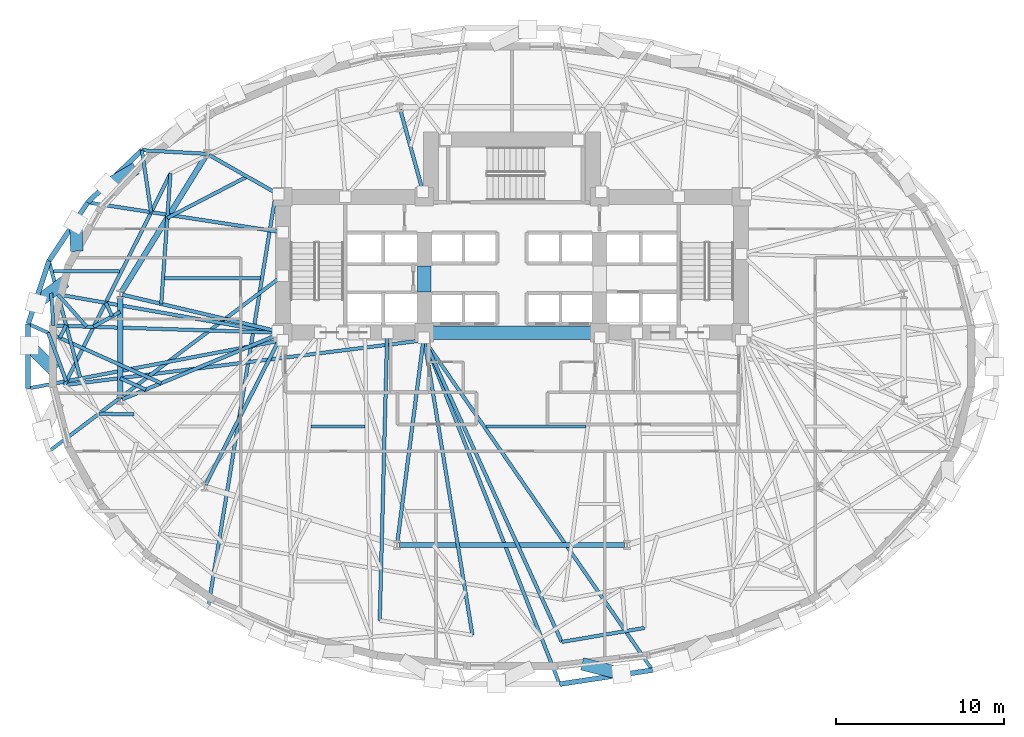
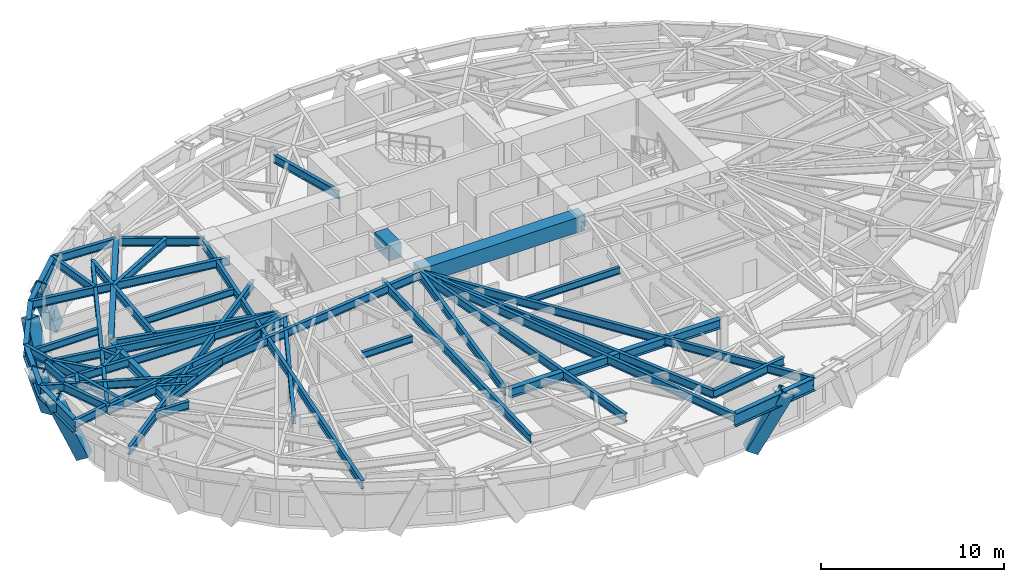
# One storey, part 2 of 14: 48 beams, 5 members.
"""IFC4 building model written with IfcOpenShell, lengths in metres."""

from ifc_helpers import new_model, si_unit, direction, frame, origin, origin_2d, place, context, subcontext, project, spatial, rectangle, hollow_rectangle, i_section, extrude, material, material_profile, profile_set, type_object, element, save


model = new_model("IFC4")

# Units and contexts
model_context = context("Model", 3, precision=1e-05, world=origin(), true_north=direction((0.0, 1.0)))
body_context = subcontext(model_context, "Body", "Model", "MODEL_VIEW")
ifc_project = project(units=[si_unit("LENGTHUNIT", "METRE"), si_unit("AREAUNIT", "SQUARE_METRE"), si_unit("VOLUMEUNIT", "CUBIC_METRE"), si_unit("PLANEANGLEUNIT", "RADIAN"), si_unit("MASSUNIT", "GRAM", prefix="KILO")], contexts=[model_context])

# Site, building, storey
site_placement = place(None, origin())
site = spatial("IfcSite", under=ifc_project, at=site_placement, CompositionType="ELEMENT")
building_placement = place(site_placement, origin())
building = spatial("IfcBuilding", under=site, at=building_placement, Name="Keldmark Tower", CompositionType="ELEMENT")
storey_placement = place(building_placement, frame((0.0, 0.0, 52.199951171875)))
storey = spatial("IfcBuildingStorey", under=building, at=storey_placement, Name="L13", CompositionType="ELEMENT", Elevation=52.199951171875)

# Beams
ifc_material_1 = material(Name="Steel ASTM A992 Grade 50", Category="steel")
ifc_material_profile_1 = material_profile(ifc_material_1, i_section(OverallWidth=0.19091796875, OverallDepth=0.45703125, WebThickness=0.009033203125, FlangeThickness=0.014404296875, at=origin_2d()), Name="W18X50")
ifc_profile_set_1 = profile_set([ifc_material_profile_1], Name="Steel ASTM A992 Grade 50")
beam_type_1 = type_object("IfcBeamType", Name="Composite Floor Joist W18X50", PredefinedType="JOIST", material=ifc_profile_set_1)
beam_1_placement = place(storey_placement, frame((-11.920166015625, -4.179931640625, 3.171630859375), z_axis=(1.0, 0.0, 0.0), x_axis=(0.0, 1.0, 0.0)))
element("IfcBeam", 1, at=beam_1_placement, inside=storey, type_object=beam_type_1, Name="L13 Composite Floor Joist J08", PredefinedType="JOIST", context=body_context, shape_type="SweptSolid", body=[
    extrude(i_section(OverallWidth=0.19091796875, OverallDepth=0.45703125, WebThickness=0.009033203125, FlangeThickness=0.014404296875, at=origin_2d()), origin(), (0.0, 0.0, 1.0), 3.19970703125),
])
beam_2_placement = place(storey_placement, frame((-1.53564453125, -4.179931640625, 3.171630859375), z_axis=(1.0, 0.0, 0.0), x_axis=(0.0, 1.0, 0.0)))
element("IfcBeam", 2, at=beam_2_placement, inside=storey, type_object=beam_type_1, Name="L13 Composite Floor Joist J09", PredefinedType="JOIST", context=body_context, shape_type="SweptSolid", body=[
    extrude(i_section(OverallWidth=0.19091796875, OverallDepth=0.45703125, WebThickness=0.009033203125, FlangeThickness=0.014404296875, at=origin_2d()), origin(), (0.0, 0.0, 1.0), 5.93115234375),
])
beam_3_placement = place(storey_placement, frame((-27.218505859375, 5.0400390625, 3.171630859375), z_axis=(1.0, 0.0, 0.0), x_axis=(0.0, 1.0, 0.0)))
element("IfcBeam", 3, at=beam_3_placement, inside=storey, type_object=beam_type_1, Name="L13 Composite Floor Joist J12", PredefinedType="JOIST", context=body_context, shape_type="SweptSolid", body=[
    extrude(i_section(OverallWidth=0.19091796875, OverallDepth=0.45703125, WebThickness=0.009033203125, FlangeThickness=0.014404296875, at=origin_2d()), origin(), (0.0, 0.0, 1.0), 3.934326171875),
])
beam_4_placement = place(storey_placement, frame((-20.61279296875, 4.6201171875, 3.171630859375), z_axis=(1.0, 0.0, 0.0), x_axis=(0.0, 1.0, 0.0)))
element("IfcBeam", 4, at=beam_4_placement, inside=storey, type_object=beam_type_1, Name="L13 Composite Floor Joist J13", PredefinedType="JOIST", context=body_context, shape_type="SweptSolid", body=[
    extrude(i_section(OverallWidth=0.19091796875, OverallDepth=0.45703125, WebThickness=0.009033203125, FlangeThickness=0.014404296875, at=origin_2d()), origin(), (0.0, 0.0, 1.0), 5.676513671875),
])
ifc_material_2 = material(Name="Concrete C70/85", Category="concrete")
ifc_material_profile_2 = material_profile(ifc_material_2, rectangle(XDim=0.800048828125, YDim=1.0, at=origin_2d()), Name="RCB800X1000")
ifc_profile_set_2 = profile_set([ifc_material_profile_2], Name="Concrete C70/85")
beam_type_2 = type_object("IfcBeamType", Name="Core Coupling Beam RCB800X1000", PredefinedType="USERDEFINED", material=ifc_profile_set_2)
beam_5_placement = place(storey_placement, frame((-5.199951171875, 3.800048828125, 2.900146484375), z_axis=(0.0, 1.0, 0.0), x_axis=(-1.0, 0.0, 0.0)))
element("IfcBeam", 5, at=beam_5_placement, inside=storey, type_object=beam_type_2, Name="L13 West Core Coupling Beam", ObjectType="COUPLING BEAM", PredefinedType="USERDEFINED", context=body_context, shape_type="SweptSolid", body=[
    extrude(rectangle(XDim=0.800048828125, YDim=1.0, at=origin_2d()), origin(), (0.0, 0.0, 1.0), 1.550048828125),
])
beam_6_placement = place(storey_placement, frame((-5.199951171875, 1.39990234375, 2.900146484375), z_axis=(1.0, 0.0, 0.0), x_axis=(0.0, 1.0, 0.0)))
element("IfcBeam", 6, at=beam_6_placement, inside=storey, type_object=beam_type_2, Name="L13 Central South Core Coupling Beam", ObjectType="COUPLING BEAM", PredefinedType="USERDEFINED", context=body_context, shape_type="SweptSolid", body=[
    extrude(rectangle(XDim=0.800048828125, YDim=1.0, at=origin_2d()), origin(), (0.0, 0.0, 1.0), 10.39990234375),
])

# Members
ifc_material_3 = material(Name="Steel ASTM A572 Grade 50", Category="steel")
ifc_material_profile_3 = material_profile(ifc_material_3, hollow_rectangle(XDim=0.75, YDim=0.75, WallThickness=0.06494140625, at=origin_2d()), Name="BOX750X750X65")
ifc_profile_set_3 = profile_set([ifc_material_profile_3], Name="Steel ASTM A572 Grade 50")
member_type = type_object("IfcMemberType", Name="Diagrid Lower Brace BOX750X750X65", PredefinedType="BRACE", material=ifc_profile_set_3)
member_1_placement = place(storey_placement, frame((-22.60498046875, 10.9677734375, -0.280029296875), z_axis=(-0.369409349961, -0.216005299432, 0.903813278713), x_axis=(0.504771318248, -0.863253100935, 0.0)))
element("IfcMember", 7, at=member_1_placement, inside=storey, type_object=member_type, Name="L13 Perimeter Diagrid Brace 07A", PredefinedType="BRACE", context=body_context, shape_type="SweptSolid", body=[
    extrude(hollow_rectangle(XDim=0.75, YDim=0.75, WallThickness=0.06494140625, at=origin_2d()), origin(), (0.0, 0.0, 1.0), 3.93896484375),
])
member_2_placement = place(storey_placement, frame((-25.842041015625, 6.579345703125, -0.280029296875), z_axis=(-0.013262024553, 0.356408901392, 0.934235951842), x_axis=(-0.999308420884, -0.03718440466, 0.0)))
element("IfcMember", 8, at=member_2_placement, inside=storey, type_object=member_type, Name="L13 Perimeter Diagrid Brace 07B", PredefinedType="BRACE", context=body_context, shape_type="SweptSolid", body=[
    extrude(hollow_rectangle(XDim=0.75, YDim=0.75, WallThickness=0.06494140625, at=origin_2d()), origin(), (0.0, 0.0, 1.0), 3.810546875),
])
member_3_placement = place(storey_placement, frame((-26.7900390625, 4.230224609375, -0.280029296875), z_axis=(-0.364217028896, -0.271666073046, 0.890810586274), x_axis=(0.597889773807, -0.801578329533, 0.0)))
element("IfcMember", 9, at=member_3_placement, inside=storey, type_object=member_type, Name="L13 Perimeter Diagrid Brace 08A", PredefinedType="BRACE", context=body_context, shape_type="SweptSolid", body=[
    extrude(hollow_rectangle(XDim=0.75, YDim=0.75, WallThickness=0.06494140625, at=origin_2d()), origin(), (0.0, 0.0, 1.0), 3.996337890625),
])
member_4_placement = place(storey_placement, frame((-27.40625, -0.616943359375, -0.280029296875), z_axis=(-0.313927773209, 0.314542113274, 0.895830682766), x_axis=(-0.707797651997, -0.706415234708, 0.0)))
element("IfcMember", 10, at=member_4_placement, inside=storey, type_object=member_type, Name="L13 Perimeter Diagrid Brace 08B", PredefinedType="BRACE", context=body_context, shape_type="SweptSolid", body=[
    extrude(hollow_rectangle(XDim=0.75, YDim=0.75, WallThickness=0.06494140625, at=origin_2d()), origin(), (0.0, 0.0, 1.0), 3.97412109375),
])
member_5_placement = place(storey_placement, frame((4.48095703125, -18.342041015625, -0.280029296875), z_axis=(0.488550098235, -0.122922451054, 0.863833822295), x_axis=(0.244001779634, 0.969774783924, 0.0)))
element("IfcMember", 11, at=member_5_placement, inside=storey, type_object=member_type, Name="L13 Perimeter Diagrid Brace 13A", PredefinedType="BRACE", context=body_context, shape_type="SweptSolid", body=[
    extrude(hollow_rectangle(XDim=0.75, YDim=0.75, WallThickness=0.06494140625, at=origin_2d()), origin(), (0.0, 0.0, 1.0), 4.121337890625),
])

# Beams
ifc_material_4 = material(Name="Steel ASTM A992 Grade 50", Category="steel")
ifc_material_profile_4 = material_profile(ifc_material_4, i_section(OverallWidth=0.323974609375, OverallDepth=0.611083984375, WebThickness=0.0126953125, FlangeThickness=0.01904296875, at=origin_2d()), Name="W24X104")
ifc_profile_set_4 = profile_set([ifc_material_profile_4], Name="Steel ASTM A992 Grade 50")
beam_type_3 = type_object("IfcBeamType", Name="Primary Floor Girder W24X104", PredefinedType="BEAM", material=ifc_profile_set_4)
beam_7_placement = place(storey_placement, frame((-18.17138671875, 11.888427734375, 3.094482421875), z_axis=(-0.526318405849, -0.850287560573, 0.0), x_axis=(0.850287560573, -0.526318405849, 0.0)))
element("IfcBeam", 12, at=beam_7_placement, inside=storey, type_object=beam_type_3, Name="L13 Floor Ring Girder FG-R05", PredefinedType="BEAM", context=body_context, shape_type="SweptSolid", body=[
    extrude(i_section(OverallWidth=0.323974609375, OverallDepth=0.611083984375, WebThickness=0.0126953125, FlangeThickness=0.01904296875, at=origin_2d()), origin(), (0.0, 0.0, 1.0), 9.51708984375),
])
beam_8_placement = place(storey_placement, frame((-23.25390625, 3.537109375, 3.094482421875), z_axis=(0.0, -1.0, 0.0), x_axis=(1.0, 0.0, 0.0)))
element("IfcBeam", 13, at=beam_8_placement, inside=storey, type_object=beam_type_3, Name="L13 Floor Ring Girder FG-R06", PredefinedType="BEAM", context=body_context, shape_type="SweptSolid", body=[
    extrude(i_section(OverallWidth=0.323974609375, OverallDepth=0.611083984375, WebThickness=0.0126953125, FlangeThickness=0.01904296875, at=origin_2d()), origin(), (0.0, 0.0, 1.0), 6.01025390625),
])
beam_9_placement = place(storey_placement, frame((-6.68212890625, -11.205810546875, 3.094482421875), z_axis=(1.0, 0.0, 0.0), x_axis=(0.0, 1.0, 0.0)))
element("IfcBeam", 14, at=beam_9_placement, inside=storey, type_object=beam_type_3, Name="L13 Floor Ring Girder FG-R09", PredefinedType="BEAM", context=body_context, shape_type="SweptSolid", body=[
    extrude(i_section(OverallWidth=0.323974609375, OverallDepth=0.611083984375, WebThickness=0.0126953125, FlangeThickness=0.01904296875, at=origin_2d()), origin(), (0.0, 0.0, 1.0), 13.3642578125),
])
ifc_material_5 = material(Name="Steel ASTM A992 Grade 50", Category="steel")
ifc_material_profile_5 = material_profile(ifc_material_5, i_section(OverallWidth=0.2099609375, OverallDepth=0.537109375, WebThickness=0.010986328125, FlangeThickness=0.017333984375, at=origin_2d()), Name="W21X68")
ifc_profile_set_5 = profile_set([ifc_material_profile_5], Name="Steel ASTM A992 Grade 50")
beam_type_4 = type_object("IfcBeamType", Name="Radial Tie Girder W21X68", PredefinedType="BEAM", material=ifc_profile_set_5)
beam_10_placement = place(storey_placement, frame((-15.72216796875, 10.65673828125, 3.131591796875), z_axis=(-0.887372595298, -0.461053009006, 0.0), x_axis=(0.461053009006, -0.887372595298, 0.0)))
element("IfcBeam", 15, at=beam_10_placement, inside=storey, type_object=beam_type_4, Name="L13 Framing Pin Header PH-006", PredefinedType="BEAM", context=body_context, shape_type="SweptSolid", body=[
    extrude(i_section(OverallWidth=0.2099609375, OverallDepth=0.537109375, WebThickness=0.010986328125, FlangeThickness=0.017333984375, at=origin_2d()), origin(), (0.0, 0.0, 1.0), 5.3349609375),
])
beam_11_placement = place(storey_placement, frame((-20.816162109375, 3.102294921875, 3.131591796875), z_axis=(0.07045434177, 0.997515005263, 0.0), x_axis=(-0.997515005263, 0.07045434177, 0.0)))
element("IfcBeam", 16, at=beam_11_placement, inside=storey, type_object=beam_type_4, Name="L13 Sub-Ring Step Girder STP1-M06", PredefinedType="BEAM", context=body_context, shape_type="SweptSolid", body=[
    extrude(i_section(OverallWidth=0.2099609375, OverallDepth=0.537109375, WebThickness=0.010986328125, FlangeThickness=0.017333984375, at=origin_2d()), origin(), (0.0, 0.0, 1.0), 7.748291015625),
])
beam_12_placement = place(storey_placement, frame((-21.740234375, -1.98388671875, 3.131591796875), z_axis=(-0.912416485742, 0.40926294304, 0.0), x_axis=(-0.40926294304, -0.912416485742, 0.0)))
element("IfcBeam", 17, at=beam_12_placement, inside=storey, type_object=beam_type_4, Name="L13 Framing Pin Header PH-007", PredefinedType="BEAM", context=body_context, shape_type="SweptSolid", body=[
    extrude(i_section(OverallWidth=0.2099609375, OverallDepth=0.537109375, WebThickness=0.010986328125, FlangeThickness=0.017333984375, at=origin_2d()), origin(), (0.0, 0.0, 1.0), 1.658935546875),
])
beam_13_placement = place(storey_placement, frame((-5.199951171875, 0.949951171875, 3.131591796875), z_axis=(-0.992290952912, -0.123930080165, 0.0), x_axis=(0.123930080165, -0.992290952912, 0.0)))
element("IfcBeam", 18, at=beam_13_placement, inside=storey, type_object=beam_type_4, Name="L13 Sub-Ring Step Girder STP1-M07", PredefinedType="BEAM", context=body_context, shape_type="SweptSolid", body=[
    extrude(i_section(OverallWidth=0.2099609375, OverallDepth=0.537109375, WebThickness=0.010986328125, FlangeThickness=0.017333984375, at=origin_2d()), origin(), (0.0, 0.0, 1.0), 21.533935546875),
])
beam_14_placement = place(storey_placement, frame((-20.270263671875, 10.831298828125, 3.131591796875), z_axis=(-0.448499776845, -0.893782943544, 0.0), x_axis=(0.893782943544, -0.448499776845, 0.0)))
element("IfcBeam", 19, at=beam_14_placement, inside=storey, type_object=beam_type_4, Name="L13 Perimeter Collector Ring Beam CRG1-M06", PredefinedType="BEAM", context=body_context, shape_type="SweptSolid", body=[
    extrude(i_section(OverallWidth=0.2099609375, OverallDepth=0.537109375, WebThickness=0.010986328125, FlangeThickness=0.017333984375, at=origin_2d()), origin(), (0.0, 0.0, 1.0), 14.04150390625),
])
beam_15_placement = place(storey_placement, frame((-23.25390625, 2.635498046875, 3.131591796875), z_axis=(-0.869927869816, -0.493178974935, 0.0), x_axis=(0.493178974935, -0.869927869816, 0.0)))
element("IfcBeam", 20, at=beam_15_placement, inside=storey, type_object=beam_type_4, Name="L13 Framing Pin Header PH-010", PredefinedType="BEAM", context=body_context, shape_type="SweptSolid", body=[
    extrude(i_section(OverallWidth=0.2099609375, OverallDepth=0.537109375, WebThickness=0.010986328125, FlangeThickness=0.017333984375, at=origin_2d()), origin(), (0.0, 0.0, 1.0), 1.813720703125),
])
beam_16_placement = place(storey_placement, frame((-14.050048828125, 1.39990234375, 3.131591796875), z_axis=(-0.999500292188, 0.031609585839, 0.0), x_axis=(-0.031609585839, -0.999500292188, 0.0)))
element("IfcBeam", 21, at=beam_16_placement, inside=storey, type_object=beam_type_4, Name="L13 Sub-Ring Step Girder STP2-M07", PredefinedType="BEAM", context=body_context, shape_type="SweptSolid", body=[
    extrude(i_section(OverallWidth=0.2099609375, OverallDepth=0.537109375, WebThickness=0.010986328125, FlangeThickness=0.017333984375, at=origin_2d()), origin(), (0.0, 0.0, 1.0), 13.176513671875),
])
beam_17_placement = place(storey_placement, frame((-18.09765625, 12.00732421875, 3.131591796875), z_axis=(-0.998494878252, 0.054845037192, 0.0), x_axis=(-0.054845037192, -0.998494878252, 0.0)))
element("IfcBeam", 22, at=beam_17_placement, inside=storey, type_object=beam_type_4, Name="L13 Perimeter Column Bracket RT-13", PredefinedType="BEAM", context=body_context, shape_type="SweptSolid", body=[
    extrude(i_section(OverallWidth=0.2099609375, OverallDepth=0.537109375, WebThickness=0.010986328125, FlangeThickness=0.017333984375, at=origin_2d()), origin(), (0.0, 0.0, 1.0), 3.872802734375),
])
beam_18_placement = place(storey_placement, frame((-21.964599609375, 12.2197265625, 3.131591796875), z_axis=(0.14719640676, -0.98910728328, 0.0), x_axis=(0.98910728328, 0.14719640676, 0.0)))
element("IfcBeam", 23, at=beam_18_placement, inside=storey, type_object=beam_type_4, Name="L13 Framing Pin Header PH-022", PredefinedType="BEAM", context=body_context, shape_type="SweptSolid", body=[
    extrude(i_section(OverallWidth=0.2099609375, OverallDepth=0.537109375, WebThickness=0.010986328125, FlangeThickness=0.017333984375, at=origin_2d()), origin(), (0.0, 0.0, 1.0), 3.71533203125),
])
beam_19_placement = place(storey_placement, frame((-13.60009765625, 7.343017578125, 3.131591796875), z_axis=(-0.988388558968, 0.151947545231, 0.0), x_axis=(-0.151947545231, -0.988388558968, 0.0)))
element("IfcBeam", 24, at=beam_19_placement, inside=storey, type_object=beam_type_4, Name="L13 Perimeter Radial Tie Girder RT-14", PredefinedType="BEAM", context=body_context, shape_type="SweptSolid", body=[
    extrude(i_section(OverallWidth=0.2099609375, OverallDepth=0.537109375, WebThickness=0.010986328125, FlangeThickness=0.017333984375, at=origin_2d()), origin(), (0.0, 0.0, 1.0), 11.713134765625),
])
beam_20_placement = place(storey_placement, frame((-23.727294921875, 2.3671875, 3.131591796875), z_axis=(-0.437849882724, 0.89904809671, 0.0), x_axis=(-0.89904809671, -0.437849882724, 0.0)))
element("IfcBeam", 25, at=beam_20_placement, inside=storey, type_object=beam_type_4, Name="L13 Framing Pin Header PH-023", PredefinedType="BEAM", context=body_context, shape_type="SweptSolid", body=[
    extrude(i_section(OverallWidth=0.2099609375, OverallDepth=0.537109375, WebThickness=0.010986328125, FlangeThickness=0.017333984375, at=origin_2d()), origin(), (0.0, 0.0, 1.0), 0.888916015625),
])
beam_21_placement = place(storey_placement, frame((-14.050048828125, 1.39990234375, 3.131591796875), z_axis=(-0.98495108597, 0.172833325047, 0.0), x_axis=(-0.172833325047, -0.98495108597, 0.0)))
element("IfcBeam", 26, at=beam_21_placement, inside=storey, type_object=beam_type_4, Name="L13 Intermediate Radial Step Girder RT-15M", PredefinedType="BEAM", context=body_context, shape_type="SweptSolid", body=[
    extrude(i_section(OverallWidth=0.2099609375, OverallDepth=0.537109375, WebThickness=0.010986328125, FlangeThickness=0.017333984375, at=origin_2d()), origin(), (0.0, 0.0, 1.0), 13.504150390625),
])
beam_22_placement = place(storey_placement, frame((-27.219970703125, 1.81640625, 3.131591796875), z_axis=(-0.06821354586, 0.997670743362, 0.0), x_axis=(-0.997670743362, -0.06821354586, 0.0)))
element("IfcBeam", 27, at=beam_22_placement, inside=storey, type_object=beam_type_4, Name="L13 Local Collector Chord RT-15C", PredefinedType="BEAM", context=body_context, shape_type="SweptSolid", body=[
    extrude(i_section(OverallWidth=0.2099609375, OverallDepth=0.537109375, WebThickness=0.010986328125, FlangeThickness=0.017333984375, at=origin_2d()), origin(), (0.0, 0.0, 1.0), 1.921875),
])
beam_23_placement = place(storey_placement, frame((-25.244384765625, 1.75390625, 3.131591796875), z_axis=(-0.665960799004, 0.745986738615, 0.0), x_axis=(-0.745986738615, -0.665960799004, 0.0)))
element("IfcBeam", 28, at=beam_23_placement, inside=storey, type_object=beam_type_4, Name="L13 Framing Pin Header PH-024", PredefinedType="BEAM", context=body_context, shape_type="SweptSolid", body=[
    extrude(i_section(OverallWidth=0.2099609375, OverallDepth=0.537109375, WebThickness=0.010986328125, FlangeThickness=0.017333984375, at=origin_2d()), origin(), (0.0, 0.0, 1.0), 2.5595703125),
])
beam_24_placement = place(storey_placement, frame((-25.627197265625, -1.264404296875, 3.131591796875), z_axis=(-0.259067278414, 0.965859278184, 0.0), x_axis=(-0.965859278184, -0.259067278414, 0.0)))
element("IfcBeam", 29, at=beam_24_placement, inside=storey, type_object=beam_type_4, Name="L13 Perimeter Radial Tie Girder RT-15", PredefinedType="BEAM", context=body_context, shape_type="SweptSolid", body=[
    extrude(i_section(OverallWidth=0.2099609375, OverallDepth=0.537109375, WebThickness=0.010986328125, FlangeThickness=0.017333984375, at=origin_2d()), origin(), (0.0, 0.0, 1.0), 7.16015625),
])
beam_25_placement = place(storey_placement, frame((-26.4619140625, 1.847900390625, 3.131591796875), z_axis=(-0.443779023532, -0.896136249838, 0.0), x_axis=(0.896136249838, -0.443779023532, 0.0)))
element("IfcBeam", 30, at=beam_25_placement, inside=storey, type_object=beam_type_4, Name="L13 Framing Pin Header PH-025", PredefinedType="BEAM", context=body_context, shape_type="SweptSolid", body=[
    extrude(i_section(OverallWidth=0.2099609375, OverallDepth=0.537109375, WebThickness=0.010986328125, FlangeThickness=0.017333984375, at=origin_2d()), origin(), (0.0, 0.0, 1.0), 0.853759765625),
])
beam_26_placement = place(storey_placement, frame((-20.8173828125, -1.600341796875, 3.131591796875), z_axis=(-0.913472311116, 0.406900893122, 0.0), x_axis=(-0.406900893122, -0.913472311116, 0.0)))
element("IfcBeam", 31, at=beam_26_placement, inside=storey, type_object=beam_type_4, Name="L13 Perimeter Radial Tie Girder RT-16", PredefinedType="BEAM", context=body_context, shape_type="SweptSolid", body=[
    extrude(i_section(OverallWidth=0.2099609375, OverallDepth=0.537109375, WebThickness=0.010986328125, FlangeThickness=0.017333984375, at=origin_2d()), origin(), (0.0, 0.0, 1.0), 8.644287109375),
])
beam_27_placement = place(storey_placement, frame((-27.529296875, 1.389404296875, 3.131591796875), z_axis=(0.350653173375, -0.936505393472, 0.0), x_axis=(0.936505393472, 0.350653173375, 0.0)))
element("IfcBeam", 32, at=beam_27_placement, inside=storey, type_object=beam_type_4, Name="L13 Framing Pin Header PH-026", PredefinedType="BEAM", context=body_context, shape_type="SweptSolid", body=[
    extrude(i_section(OverallWidth=0.2099609375, OverallDepth=0.537109375, WebThickness=0.010986328125, FlangeThickness=0.017333984375, at=origin_2d()), origin(), (0.0, 0.0, 1.0), 3.072509765625),
])
beam_28_placement = place(storey_placement, frame((-13.60009765625, 0.949951171875, 3.131591796875), z_axis=(-0.982479560523, -0.186370365548, 0.0), x_axis=(0.186370365548, -0.982479560523, 0.0)))
element("IfcBeam", 33, at=beam_28_placement, inside=storey, type_object=beam_type_4, Name="L13 Perimeter Radial Tie Girder RT-17", PredefinedType="BEAM", context=body_context, shape_type="SweptSolid", body=[
    extrude(i_section(OverallWidth=0.2099609375, OverallDepth=0.537109375, WebThickness=0.010986328125, FlangeThickness=0.017333984375, at=origin_2d()), origin(), (0.0, 0.0, 1.0), 15.383056640625),
])
beam_29_placement = place(storey_placement, frame((-22.435546875, -3.454833984375, 3.131591796875), z_axis=(-0.999852863393, 0.017153762404, 0.0), x_axis=(-0.017153762404, -0.999852863393, 0.0)))
element("IfcBeam", 34, at=beam_29_placement, inside=storey, type_object=beam_type_4, Name="L13 Framing Pin Header PH-027", PredefinedType="BEAM", context=body_context, shape_type="SweptSolid", body=[
    extrude(i_section(OverallWidth=0.2099609375, OverallDepth=0.537109375, WebThickness=0.010986328125, FlangeThickness=0.017333984375, at=origin_2d()), origin(), (0.0, 0.0, 1.0), 2.077880859375),
])
beam_30_placement = place(storey_placement, frame((-13.60009765625, 4.78564453125, 3.131591796875), z_axis=(-0.799296037108, -0.600937471841, 0.0), x_axis=(0.600937471841, -0.799296037108, 0.0)))
element("IfcBeam", 35, at=beam_30_placement, inside=storey, type_object=beam_type_4, Name="L13 Perimeter Radial Tie Girder RT-18", PredefinedType="BEAM", context=body_context, shape_type="SweptSolid", body=[
    extrude(i_section(OverallWidth=0.2099609375, OverallDepth=0.537109375, WebThickness=0.010986328125, FlangeThickness=0.017333984375, at=origin_2d()), origin(), (0.0, 0.0, 1.0), 17.367919921875),
])
beam_31_placement = place(storey_placement, frame((-14.050048828125, 9.449951171875, 3.131591796875), z_axis=(-0.161210020502, -0.986920123054, 0.0), x_axis=(0.986920123054, -0.161210020502, 0.0)))
element("IfcBeam", 36, at=beam_31_placement, inside=storey, type_object=beam_type_4, Name="L13 Perimeter Radial Tie Girder RT-21", PredefinedType="BEAM", context=body_context, shape_type="SweptSolid", body=[
    extrude(i_section(OverallWidth=0.2099609375, OverallDepth=0.537109375, WebThickness=0.010986328125, FlangeThickness=0.017333984375, at=origin_2d()), origin(), (0.0, 0.0, 1.0), 24.662353515625),
])
beam_32_placement = place(storey_placement, frame((-7.406982421875, 1.39990234375, 3.131591796875), z_axis=(-0.025918539293, -0.999664058232, 0.0), x_axis=(0.999664058232, -0.025918539293, 0.0)))
element("IfcBeam", 37, at=beam_32_placement, inside=storey, type_object=beam_type_4, Name="L13 Intermediate Radial Step Girder RT-23M", PredefinedType="BEAM", context=body_context, shape_type="SweptSolid", body=[
    extrude(i_section(OverallWidth=0.2099609375, OverallDepth=0.537109375, WebThickness=0.010986328125, FlangeThickness=0.017333984375, at=origin_2d()), origin(), (0.0, 0.0, 1.0), 17.087158203125),
])
beam_33_placement = place(storey_placement, frame((-5.199951171875, 0.949951171875, 3.131591796875), z_axis=(0.160870538545, -0.986975516327, 0.0), x_axis=(0.986975516327, 0.160870538545, 0.0)))
element("IfcBeam", 38, at=beam_33_placement, inside=storey, type_object=beam_type_4, Name="L13 Intermediate Radial Step Girder RT-24M", PredefinedType="BEAM", context=body_context, shape_type="SweptSolid", body=[
    extrude(i_section(OverallWidth=0.2099609375, OverallDepth=0.537109375, WebThickness=0.010986328125, FlangeThickness=0.017333984375, at=origin_2d()), origin(), (0.0, 0.0, 1.0), 17.7333984375),
])
beam_34_placement = place(storey_placement, frame((-5.199951171875, 0.949951171875, 3.131591796875), z_axis=(0.414245966008, -0.910164973863, 0.0), x_axis=(0.910164973863, 0.414245966008, 0.0)))
element("IfcBeam", 39, at=beam_34_placement, inside=storey, type_object=beam_type_4, Name="L13 Intermediate Radial Step Girder RT-25M", PredefinedType="BEAM", context=body_context, shape_type="SweptSolid", body=[
    extrude(i_section(OverallWidth=0.2099609375, OverallDepth=0.537109375, WebThickness=0.010986328125, FlangeThickness=0.017333984375, at=origin_2d()), origin(), (0.0, 0.0, 1.0), 19.67822265625),
])
beam_35_placement = place(storey_placement, frame((2.95166015625, -16.96044921875, 3.131591796875), z_axis=(0.986014764835, 0.166657983687, 0.0), x_axis=(-0.166657983687, 0.986014764835, 0.0)))
element("IfcBeam", 40, at=beam_35_placement, inside=storey, type_object=beam_type_4, Name="L13 Local Collector Chord RT-26C", PredefinedType="BEAM", context=body_context, shape_type="SweptSolid", body=[
    extrude(i_section(OverallWidth=0.2099609375, OverallDepth=0.537109375, WebThickness=0.010986328125, FlangeThickness=0.017333984375, at=origin_2d()), origin(), (0.0, 0.0, 1.0), 4.976318359375),
])
beam_36_placement = place(storey_placement, frame((-5.199951171875, 0.949951171875, 3.131591796875), z_axis=(0.568675459971, -0.822561986252, 0.0), x_axis=(0.822561986252, 0.568675459971, 0.0)))
element("IfcBeam", 41, at=beam_36_placement, inside=storey, type_object=beam_type_4, Name="L13 Perimeter Radial Tie Girder RT-26", PredefinedType="BEAM", context=body_context, shape_type="SweptSolid", body=[
    extrude(i_section(OverallWidth=0.2099609375, OverallDepth=0.537109375, WebThickness=0.010986328125, FlangeThickness=0.017333984375, at=origin_2d()), origin(), (0.0, 0.0, 1.0), 23.8037109375),
])
beam_37_placement = place(storey_placement, frame((-5.199951171875, 0.949951171875, 3.131591796875), z_axis=(0.365957778613, -0.93063145459, 0.0), x_axis=(0.93063145459, 0.365957778613, 0.0)))
element("IfcBeam", 42, at=beam_37_placement, inside=storey, type_object=beam_type_4, Name="L13 Perimeter Radial Tie Girder RT-25R", PredefinedType="BEAM", context=body_context, shape_type="SweptSolid", body=[
    extrude(i_section(OverallWidth=0.2099609375, OverallDepth=0.537109375, WebThickness=0.010986328125, FlangeThickness=0.017333984375, at=origin_2d()), origin(), (0.0, 0.0, 1.0), 21.9365234375),
])
ifc_material_6 = material(Name="Steel ASTM A992 Grade 50", Category="steel")
ifc_material_profile_6 = material_profile(ifc_material_6, i_section(OverallWidth=0.214111328125, OverallDepth=0.549072265625, WebThickness=0.0146484375, FlangeThickness=0.023681640625, at=origin_2d()), Name="W21X93")
ifc_profile_set_6 = profile_set([ifc_material_profile_6], Name="Steel ASTM A992 Grade 50")
beam_type_5 = type_object("IfcBeamType", Name="Radial Tie Girder W21X93", PredefinedType="BEAM", material=ifc_profile_set_6)
beam_38_placement = place(storey_placement, frame((-6.6279296875, 14.625, 3.12548828125), z_axis=(0.265984786353, -0.963977226613, 0.0), x_axis=(0.963977226613, 0.265984786353, 0.0)))
element("IfcBeam", 43, at=beam_38_placement, inside=storey, type_object=beam_type_5, Name="L13 Floor Radial Girder FG-C04", PredefinedType="BEAM", context=body_context, shape_type="SweptSolid", body=[
    extrude(i_section(OverallWidth=0.214111328125, OverallDepth=0.549072265625, WebThickness=0.0146484375, FlangeThickness=0.023681640625, at=origin_2d()), origin(), (0.0, 0.0, 1.0), 5.04833984375),
])
beam_39_placement = place(storey_placement, frame((-17.97607421875, 11.938232421875, 3.12548828125), z_axis=(0.869299282131, -0.494286109542, 0.0), x_axis=(0.494286109542, 0.869299282131, 0.0)))
element("IfcBeam", 44, at=beam_39_placement, inside=storey, type_object=beam_type_5, Name="L13 Floor Radial Girder FG-C05", PredefinedType="BEAM", context=body_context, shape_type="SweptSolid", body=[
    extrude(i_section(OverallWidth=0.214111328125, OverallDepth=0.549072265625, WebThickness=0.0146484375, FlangeThickness=0.023681640625, at=origin_2d()), origin(), (0.0, 0.0, 1.0), 4.714111328125),
])
beam_40_placement = place(storey_placement, frame((-23.11767578125, 3.64501953125, 3.12548828125), z_axis=(0.973287364179, -0.229590301909, 0.0), x_axis=(0.229590301909, 0.973287364179, 0.0)))
element("IfcBeam", 45, at=beam_40_placement, inside=storey, type_object=beam_type_5, Name="L13 Floor Radial Girder FG-C06", PredefinedType="BEAM", context=body_context, shape_type="SweptSolid", body=[
    extrude(i_section(OverallWidth=0.214111328125, OverallDepth=0.549072265625, WebThickness=0.0146484375, FlangeThickness=0.023681640625, at=origin_2d()), origin(), (0.0, 0.0, 1.0), 9.458740234375),
])
beam_41_placement = place(storey_placement, frame((-23.124755859375, -2.5595703125, 3.12548828125), z_axis=(0.923390978102, 0.383860784088, 0.0), x_axis=(-0.383860784088, 0.923390978102, 0.0)))
element("IfcBeam", 46, at=beam_41_placement, inside=storey, type_object=beam_type_5, Name="L13 Floor Radial Girder FG-C07", PredefinedType="BEAM", context=body_context, shape_type="SweptSolid", body=[
    extrude(i_section(OverallWidth=0.214111328125, OverallDepth=0.549072265625, WebThickness=0.0146484375, FlangeThickness=0.023681640625, at=origin_2d()), origin(), (0.0, 0.0, 1.0), 9.994873046875),
])
beam_42_placement = place(storey_placement, frame((-18.189453125, -7.630859375, 3.12548828125), z_axis=(0.453037526986, 0.891491446478, 0.0), x_axis=(-0.891491446478, 0.453037526986, 0.0)))
element("IfcBeam", 47, at=beam_42_placement, inside=storey, type_object=beam_type_5, Name="L13 Floor Radial Girder FG-C08", PredefinedType="BEAM", context=body_context, shape_type="SweptSolid", body=[
    extrude(i_section(OverallWidth=0.214111328125, OverallDepth=0.549072265625, WebThickness=0.0146484375, FlangeThickness=0.023681640625, at=origin_2d()), origin(), (0.0, 0.0, 1.0), 9.81005859375),
])
beam_43_placement = place(storey_placement, frame((-6.80419921875, -11.06689453125, 3.12548828125), z_axis=(0.127634898593, 0.99182122011, 0.0), x_axis=(-0.99182122011, 0.127634898593, 0.0)))
element("IfcBeam", 48, at=beam_43_placement, inside=storey, type_object=beam_type_5, Name="L13 Floor Radial Girder FG-C09", PredefinedType="BEAM", context=body_context, shape_type="SweptSolid", body=[
    extrude(i_section(OverallWidth=0.214111328125, OverallDepth=0.549072265625, WebThickness=0.0146484375, FlangeThickness=0.023681640625, at=origin_2d()), origin(), (0.0, 0.0, 1.0), 12.24951171875),
])
ifc_material_7 = material(Name="Steel ASTM A992 Grade 50", Category="steel")
ifc_material_profile_7 = material_profile(ifc_material_7, i_section(OverallWidth=0.2919921875, OverallDepth=0.85888671875, WebThickness=0.01708984375, FlangeThickness=0.031005859375, at=origin_2d()), Name="W33X169")
ifc_profile_set_7 = profile_set([ifc_material_profile_7], Name="Steel ASTM A992 Grade 50")
beam_type_6 = type_object("IfcBeamType", Name="Spandrel Ring Beam W33X169", PredefinedType="SPANDREL", material=ifc_profile_set_7)
beam_44_placement = place(storey_placement, frame((-21.964599609375, 12.2197265625, 2.970458984375), z_axis=(-0.719954614269, -0.694021147656, 0.0), x_axis=(0.694021147656, -0.719954614269, 0.0)))
element("IfcBeam", 49, at=beam_44_placement, inside=storey, type_object=beam_type_6, Name="L13 Perimeter Spandrel Ring Beam SRB-13", PredefinedType="SPANDREL", context=body_context, shape_type="SweptSolid", body=[
    extrude(i_section(OverallWidth=0.2919921875, OverallDepth=0.85888671875, WebThickness=0.01708984375, FlangeThickness=0.031005859375, at=origin_2d()), origin(), (0.0, 0.0, 1.0), 4.46240234375),
])
beam_45_placement = place(storey_placement, frame((-25.17724609375, 9.122802734375, 2.970458984375), z_axis=(-0.553144350008, -0.833085426625, 0.0), x_axis=(0.833085426625, -0.553144350008, 0.0)))
element("IfcBeam", 50, at=beam_45_placement, inside=storey, type_object=beam_type_6, Name="L13 Perimeter Spandrel Ring Beam SRB-14", PredefinedType="SPANDREL", context=body_context, shape_type="SweptSolid", body=[
    extrude(i_section(OverallWidth=0.2919921875, OverallDepth=0.85888671875, WebThickness=0.01708984375, FlangeThickness=0.031005859375, at=origin_2d()), origin(), (0.0, 0.0, 1.0), 4.1669921875),
])
beam_46_placement = place(storey_placement, frame((-27.482177734375, 5.6513671875, 2.970458984375), z_axis=(-0.31317140165, -0.949696621658, 0.0), x_axis=(0.949696621658, -0.31317140165, 0.0)))
element("IfcBeam", 51, at=beam_46_placement, inside=storey, type_object=beam_type_6, Name="L13 Perimeter Spandrel Ring Beam SRB-15", PredefinedType="SPANDREL", context=body_context, shape_type="SweptSolid", body=[
    extrude(i_section(OverallWidth=0.2919921875, OverallDepth=0.85888671875, WebThickness=0.01708984375, FlangeThickness=0.031005859375, at=origin_2d()), origin(), (0.0, 0.0, 1.0), 3.93212890625),
])
beam_47_placement = place(storey_placement, frame((-28.713623046875, 1.9169921875, 2.970458984375), z_axis=(0.0, -1.0, 0.0), x_axis=(1.0, 0.0, 0.0)))
element("IfcBeam", 52, at=beam_47_placement, inside=storey, type_object=beam_type_6, Name="L13 Perimeter Spandrel Ring Beam SRB-16", PredefinedType="SPANDREL", context=body_context, shape_type="SweptSolid", body=[
    extrude(i_section(OverallWidth=0.2919921875, OverallDepth=0.85888671875, WebThickness=0.01708984375, FlangeThickness=0.031005859375, at=origin_2d()), origin(), (0.0, 0.0, 1.0), 3.833984375),
])
beam_48_placement = place(storey_placement, frame((2.827880859375, -19.46484375, 2.970458984375), z_axis=(0.988714127489, 0.149814465604, 0.0), x_axis=(-0.149814465604, 0.988714127489, 0.0)))
element("IfcBeam", 53, at=beam_48_placement, inside=storey, type_object=beam_type_6, Name="L13 Perimeter Spandrel Ring Beam SRB-25", PredefinedType="SPANDREL", context=body_context, shape_type="SweptSolid", body=[
    extrude(i_section(OverallWidth=0.2919921875, OverallDepth=0.85888671875, WebThickness=0.01708984375, FlangeThickness=0.031005859375, at=origin_2d()), origin(), (0.0, 0.0, 1.0), 5.57177734375),
])

save(model, "model.ifc")
